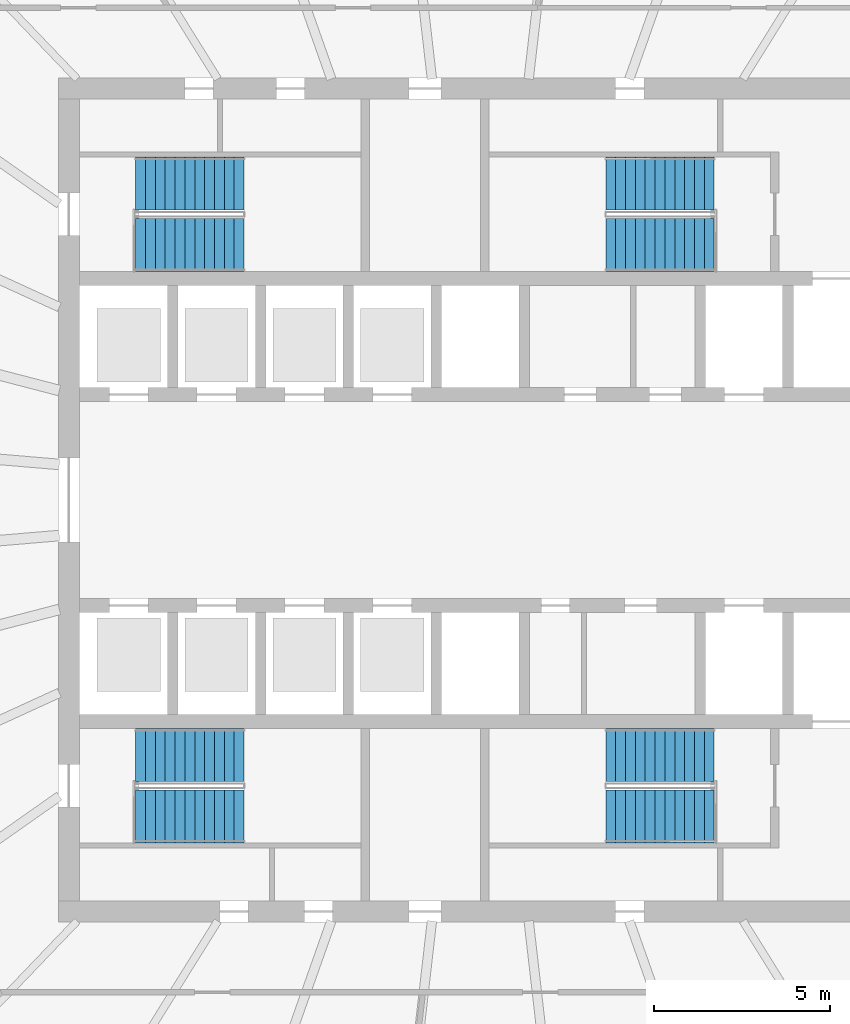
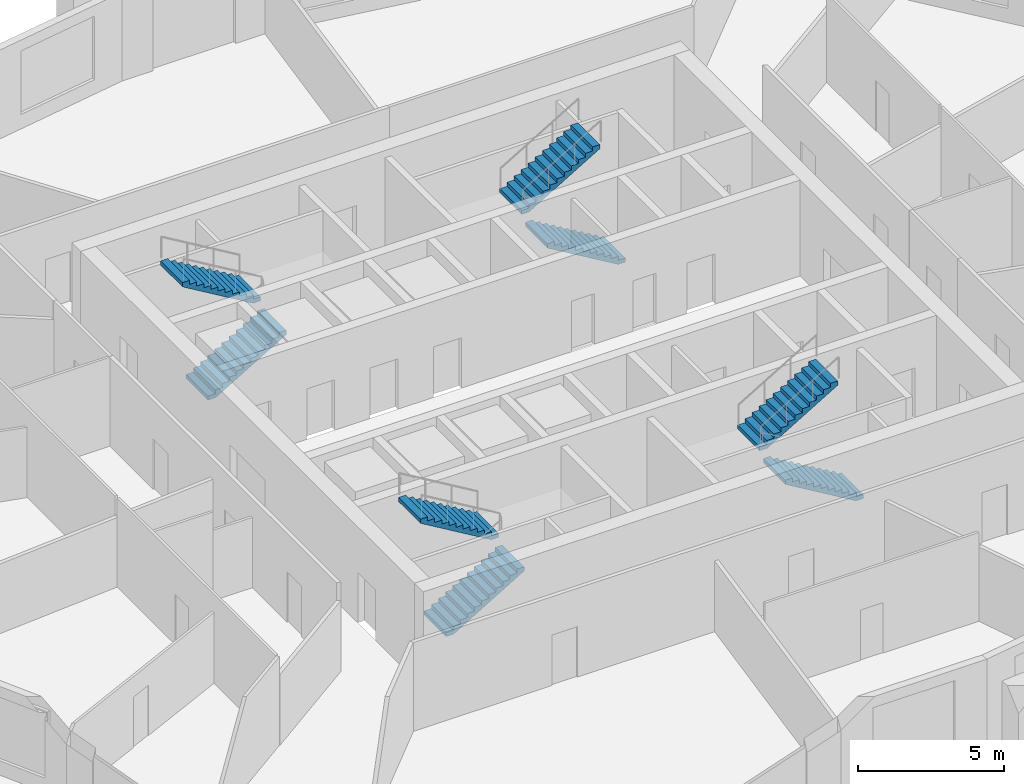
# One storey, part 8 of 11: 8 stair flights, 4 elements without a shape of their own.
"""IFC4 building model written with IfcOpenShell, lengths in metres."""

from ifc_helpers import new_model, si_unit, direction, frame, origin, place, context, subcontext, project, spatial, polyline, outline, extrude, material, type_object, element, aggregate, save


model = new_model("IFC4")

# Units and contexts
model_context = context("Model", 3, precision=1e-05, world=origin(), true_north=direction((0.0, 1.0)))
body_context = subcontext(model_context, "Body", "Model", "MODEL_VIEW")
ifc_project = project(units=[si_unit("LENGTHUNIT", "METRE"), si_unit("AREAUNIT", "SQUARE_METRE"), si_unit("VOLUMEUNIT", "CUBIC_METRE"), si_unit("PLANEANGLEUNIT", "RADIAN"), si_unit("MASSUNIT", "GRAM", prefix="KILO")], contexts=[model_context])

# Site, building, storey
site_placement = place(None, origin())
site = spatial("IfcSite", under=ifc_project, at=site_placement, CompositionType="ELEMENT")
building_placement = place(site_placement, origin())
building = spatial("IfcBuilding", under=site, at=building_placement, Name="Halqa Exchange Tower", CompositionType="ELEMENT")
storey_placement = place(building_placement, frame((0.0, 0.0, 222.89990234375)))
storey = spatial("IfcBuildingStorey", under=building, at=storey_placement, Name="L51", CompositionType="ELEMENT", Elevation=222.89990234375)

# Stair, stair flights
ifc_material = material(Name="Concrete C30/37", Category="concrete")
stair_type = type_object("IfcStairType", Name="Exit stair 1500 wide", PredefinedType="HALF_TURN_STAIR", material=ifc_material)
stair_1_placement = place(storey_placement, origin())
stair_1 = element("IfcStair", 1, at=stair_1_placement, inside=storey, type_object=stair_type, Name="Exit stair ST1", PredefinedType="HALF_TURN_STAIR")
stair_flight_type = type_object("IfcStairFlightType", Name="Stair flight 1500 wide", PredefinedType="STRAIGHT", material=ifc_material)
stair_flight_1_placement = place(storey_placement, frame((-9.800048828125, 7.25, 0.0), z_axis=(0.0, 0.0, 1.0), x_axis=(1.0, 0.0, 0.0)))
stair_flight_1 = element("IfcStairFlight", 2, at=stair_flight_1_placement, type_object=stair_flight_type, Name="ST1 flight 1", NumberOfRisers=12, NumberOfTreads=11, PredefinedType="STRAIGHT", RiserHeight=0.166666667, TreadLength=0.28, context=body_context, shape_type="SweptSolid", body=[
    extrude(outline(polyline([(0.0, 0.0), (0.0, 0.166748046875), (0.280029296875, 0.166748046875), (0.280029296875, 0.333251953125), (0.56005859375, 0.333251953125), (0.56005859375, 0.5), (0.840087890625, 0.5), (0.840087890625, 0.666748046875), (1.1201171875, 0.666748046875), (1.1201171875, 0.833251953125), (1.39990234375, 0.833251953125), (1.39990234375, 1.0), (1.679931640625, 1.0), (1.679931640625, 1.166748046875), (1.9599609375, 1.166748046875), (1.9599609375, 1.333251953125), (2.239990234375, 1.333251953125), (2.239990234375, 1.5), (2.52001953125, 1.5), (2.52001953125, 1.666748046875), (2.800048828125, 1.666748046875), (2.800048828125, 1.833251953125), (3.080078125, 1.833251953125), (3.080078125, 2.0), (3.080078125, 1.658935546875), (0.29296875, 0.0), (0.0, 0.0)])), frame((0.0, 0.75, 0.0), z_axis=(0.0, -1.0, 0.0), x_axis=(1.0, 0.0, 0.0)), (0.0, 0.0, 1.0), 1.5),
])
stair_flight_2_placement = place(storey_placement, frame((-6.719970703125, 9.0, 2.0), z_axis=(0.0, 0.0, 1.0), x_axis=(-1.0, 0.0, 0.0)))
stair_flight_2 = element("IfcStairFlight", 3, at=stair_flight_2_placement, type_object=stair_flight_type, Name="ST1 flight 2", NumberOfRisers=12, NumberOfTreads=11, PredefinedType="STRAIGHT", RiserHeight=0.166666667, TreadLength=0.28, context=body_context, shape_type="SweptSolid", body=[
    extrude(outline(polyline([(0.0, 0.0), (0.0, 0.166748046875), (0.280029296875, 0.166748046875), (0.280029296875, 0.333251953125), (0.56005859375, 0.333251953125), (0.56005859375, 0.5), (0.840087890625, 0.5), (0.840087890625, 0.666748046875), (1.1201171875, 0.666748046875), (1.1201171875, 0.833251953125), (1.39990234375, 0.833251953125), (1.39990234375, 1.0), (1.679931640625, 1.0), (1.679931640625, 1.166748046875), (1.9599609375, 1.166748046875), (1.9599609375, 1.333251953125), (2.239990234375, 1.333251953125), (2.239990234375, 1.5), (2.52001953125, 1.5), (2.52001953125, 1.666748046875), (2.800048828125, 1.666748046875), (2.800048828125, 1.833251953125), (3.080078125, 1.833251953125), (3.080078125, 2.0), (3.080078125, 1.658935546875), (0.29296875, 0.0), (0.0, 0.0)])), frame((0.0, 0.75, 0.0), z_axis=(0.0, -1.0, 0.0), x_axis=(1.0, 0.0, 0.0)), (0.0, 0.0, 1.0), 1.5),
])
aggregate(stair_1, [stair_flight_1, stair_flight_2])

stair_2_placement = place(storey_placement, origin())
stair_2 = element("IfcStair", 4, at=stair_2_placement, inside=storey, type_object=stair_type, Name="Exit stair ST2", PredefinedType="HALF_TURN_STAIR")
stair_flight_3_placement = place(storey_placement, frame((6.64990234375, 7.25, 0.0), z_axis=(0.0, 0.0, 1.0), x_axis=(-1.0, 0.0, 0.0)))
stair_flight_3 = element("IfcStairFlight", 5, at=stair_flight_3_placement, type_object=stair_flight_type, Name="ST2 flight 1", NumberOfRisers=12, NumberOfTreads=11, PredefinedType="STRAIGHT", RiserHeight=0.166666667, TreadLength=0.28, context=body_context, shape_type="SweptSolid", body=[
    extrude(outline(polyline([(0.0, 0.0), (0.0, 0.166748046875), (0.280029296875, 0.166748046875), (0.280029296875, 0.333251953125), (0.56005859375, 0.333251953125), (0.56005859375, 0.5), (0.840087890625, 0.5), (0.840087890625, 0.666748046875), (1.1201171875, 0.666748046875), (1.1201171875, 0.833251953125), (1.39990234375, 0.833251953125), (1.39990234375, 1.0), (1.679931640625, 1.0), (1.679931640625, 1.166748046875), (1.9599609375, 1.166748046875), (1.9599609375, 1.333251953125), (2.239990234375, 1.333251953125), (2.239990234375, 1.5), (2.52001953125, 1.5), (2.52001953125, 1.666748046875), (2.800048828125, 1.666748046875), (2.800048828125, 1.833251953125), (3.080078125, 1.833251953125), (3.080078125, 2.0), (3.080078125, 1.658935546875), (0.29296875, 0.0), (0.0, 0.0)])), frame((0.0, 0.75, 0.0), z_axis=(0.0, -1.0, 0.0), x_axis=(1.0, 0.0, 0.0)), (0.0, 0.0, 1.0), 1.5),
])
stair_flight_4_placement = place(storey_placement, frame((3.570068359375, 9.0, 2.0), z_axis=(0.0, 0.0, 1.0), x_axis=(1.0, 0.0, 0.0)))
stair_flight_4 = element("IfcStairFlight", 6, at=stair_flight_4_placement, type_object=stair_flight_type, Name="ST2 flight 2", NumberOfRisers=12, NumberOfTreads=11, PredefinedType="STRAIGHT", RiserHeight=0.166666667, TreadLength=0.28, context=body_context, shape_type="SweptSolid", body=[
    extrude(outline(polyline([(0.0, 0.0), (0.0, 0.166748046875), (0.280029296875, 0.166748046875), (0.280029296875, 0.333251953125), (0.56005859375, 0.333251953125), (0.56005859375, 0.5), (0.840087890625, 0.5), (0.840087890625, 0.666748046875), (1.1201171875, 0.666748046875), (1.1201171875, 0.833251953125), (1.39990234375, 0.833251953125), (1.39990234375, 1.0), (1.679931640625, 1.0), (1.679931640625, 1.166748046875), (1.9599609375, 1.166748046875), (1.9599609375, 1.333251953125), (2.239990234375, 1.333251953125), (2.239990234375, 1.5), (2.52001953125, 1.5), (2.52001953125, 1.666748046875), (2.800048828125, 1.666748046875), (2.800048828125, 1.833251953125), (3.080078125, 1.833251953125), (3.080078125, 2.0), (3.080078125, 1.658935546875), (0.29296875, 0.0), (0.0, 0.0)])), frame((0.0, 0.75, 0.0), z_axis=(0.0, -1.0, 0.0), x_axis=(1.0, 0.0, 0.0)), (0.0, 0.0, 1.0), 1.5),
])
aggregate(stair_2, [stair_flight_3, stair_flight_4])

stair_3_placement = place(storey_placement, origin())
stair_3 = element("IfcStair", 7, at=stair_3_placement, inside=storey, type_object=stair_type, Name="Exit stair ST3", PredefinedType="HALF_TURN_STAIR")
stair_flight_5_placement = place(storey_placement, frame((-9.800048828125, -9.0, 0.0), z_axis=(0.0, 0.0, 1.0), x_axis=(1.0, 0.0, 0.0)))
stair_flight_5 = element("IfcStairFlight", 8, at=stair_flight_5_placement, type_object=stair_flight_type, Name="ST3 flight 1", NumberOfRisers=12, NumberOfTreads=11, PredefinedType="STRAIGHT", RiserHeight=0.166666667, TreadLength=0.28, context=body_context, shape_type="SweptSolid", body=[
    extrude(outline(polyline([(0.0, 0.0), (0.0, 0.166748046875), (0.280029296875, 0.166748046875), (0.280029296875, 0.333251953125), (0.56005859375, 0.333251953125), (0.56005859375, 0.5), (0.840087890625, 0.5), (0.840087890625, 0.666748046875), (1.1201171875, 0.666748046875), (1.1201171875, 0.833251953125), (1.39990234375, 0.833251953125), (1.39990234375, 1.0), (1.679931640625, 1.0), (1.679931640625, 1.166748046875), (1.9599609375, 1.166748046875), (1.9599609375, 1.333251953125), (2.239990234375, 1.333251953125), (2.239990234375, 1.5), (2.52001953125, 1.5), (2.52001953125, 1.666748046875), (2.800048828125, 1.666748046875), (2.800048828125, 1.833251953125), (3.080078125, 1.833251953125), (3.080078125, 2.0), (3.080078125, 1.658935546875), (0.29296875, 0.0), (0.0, 0.0)])), frame((0.0, 0.75, 0.0), z_axis=(0.0, -1.0, 0.0), x_axis=(1.0, 0.0, 0.0)), (0.0, 0.0, 1.0), 1.5),
])
stair_flight_6_placement = place(storey_placement, frame((-6.719970703125, -7.25, 2.0), z_axis=(0.0, 0.0, 1.0), x_axis=(-1.0, 0.0, 0.0)))
stair_flight_6 = element("IfcStairFlight", 9, at=stair_flight_6_placement, type_object=stair_flight_type, Name="ST3 flight 2", NumberOfRisers=12, NumberOfTreads=11, PredefinedType="STRAIGHT", RiserHeight=0.166666667, TreadLength=0.28, context=body_context, shape_type="SweptSolid", body=[
    extrude(outline(polyline([(0.0, 0.0), (0.0, 0.166748046875), (0.280029296875, 0.166748046875), (0.280029296875, 0.333251953125), (0.56005859375, 0.333251953125), (0.56005859375, 0.5), (0.840087890625, 0.5), (0.840087890625, 0.666748046875), (1.1201171875, 0.666748046875), (1.1201171875, 0.833251953125), (1.39990234375, 0.833251953125), (1.39990234375, 1.0), (1.679931640625, 1.0), (1.679931640625, 1.166748046875), (1.9599609375, 1.166748046875), (1.9599609375, 1.333251953125), (2.239990234375, 1.333251953125), (2.239990234375, 1.5), (2.52001953125, 1.5), (2.52001953125, 1.666748046875), (2.800048828125, 1.666748046875), (2.800048828125, 1.833251953125), (3.080078125, 1.833251953125), (3.080078125, 2.0), (3.080078125, 1.658935546875), (0.29296875, 0.0), (0.0, 0.0)])), frame((0.0, 0.75, 0.0), z_axis=(0.0, -1.0, 0.0), x_axis=(1.0, 0.0, 0.0)), (0.0, 0.0, 1.0), 1.5),
])
aggregate(stair_3, [stair_flight_5, stair_flight_6])

stair_4_placement = place(storey_placement, origin())
stair_4 = element("IfcStair", 10, at=stair_4_placement, inside=storey, type_object=stair_type, Name="Exit stair ST4", PredefinedType="HALF_TURN_STAIR")
stair_flight_7_placement = place(storey_placement, frame((6.64990234375, -9.0, 0.0), z_axis=(0.0, 0.0, 1.0), x_axis=(-1.0, 0.0, 0.0)))
stair_flight_7 = element("IfcStairFlight", 11, at=stair_flight_7_placement, type_object=stair_flight_type, Name="ST4 flight 1", NumberOfRisers=12, NumberOfTreads=11, PredefinedType="STRAIGHT", RiserHeight=0.166666667, TreadLength=0.28, context=body_context, shape_type="SweptSolid", body=[
    extrude(outline(polyline([(0.0, 0.0), (0.0, 0.166748046875), (0.280029296875, 0.166748046875), (0.280029296875, 0.333251953125), (0.56005859375, 0.333251953125), (0.56005859375, 0.5), (0.840087890625, 0.5), (0.840087890625, 0.666748046875), (1.1201171875, 0.666748046875), (1.1201171875, 0.833251953125), (1.39990234375, 0.833251953125), (1.39990234375, 1.0), (1.679931640625, 1.0), (1.679931640625, 1.166748046875), (1.9599609375, 1.166748046875), (1.9599609375, 1.333251953125), (2.239990234375, 1.333251953125), (2.239990234375, 1.5), (2.52001953125, 1.5), (2.52001953125, 1.666748046875), (2.800048828125, 1.666748046875), (2.800048828125, 1.833251953125), (3.080078125, 1.833251953125), (3.080078125, 2.0), (3.080078125, 1.658935546875), (0.29296875, 0.0), (0.0, 0.0)])), frame((0.0, 0.75, 0.0), z_axis=(0.0, -1.0, 0.0), x_axis=(1.0, 0.0, 0.0)), (0.0, 0.0, 1.0), 1.5),
])
stair_flight_8_placement = place(storey_placement, frame((3.570068359375, -7.25, 2.0), z_axis=(0.0, 0.0, 1.0), x_axis=(1.0, 0.0, 0.0)))
stair_flight_8 = element("IfcStairFlight", 12, at=stair_flight_8_placement, type_object=stair_flight_type, Name="ST4 flight 2", NumberOfRisers=12, NumberOfTreads=11, PredefinedType="STRAIGHT", RiserHeight=0.166666667, TreadLength=0.28, context=body_context, shape_type="SweptSolid", body=[
    extrude(outline(polyline([(0.0, 0.0), (0.0, 0.166748046875), (0.280029296875, 0.166748046875), (0.280029296875, 0.333251953125), (0.56005859375, 0.333251953125), (0.56005859375, 0.5), (0.840087890625, 0.5), (0.840087890625, 0.666748046875), (1.1201171875, 0.666748046875), (1.1201171875, 0.833251953125), (1.39990234375, 0.833251953125), (1.39990234375, 1.0), (1.679931640625, 1.0), (1.679931640625, 1.166748046875), (1.9599609375, 1.166748046875), (1.9599609375, 1.333251953125), (2.239990234375, 1.333251953125), (2.239990234375, 1.5), (2.52001953125, 1.5), (2.52001953125, 1.666748046875), (2.800048828125, 1.666748046875), (2.800048828125, 1.833251953125), (3.080078125, 1.833251953125), (3.080078125, 2.0), (3.080078125, 1.658935546875), (0.29296875, 0.0), (0.0, 0.0)])), frame((0.0, 0.75, 0.0), z_axis=(0.0, -1.0, 0.0), x_axis=(1.0, 0.0, 0.0)), (0.0, 0.0, 1.0), 1.5),
])
aggregate(stair_4, [stair_flight_7, stair_flight_8])

save(model, "model.ifc")
